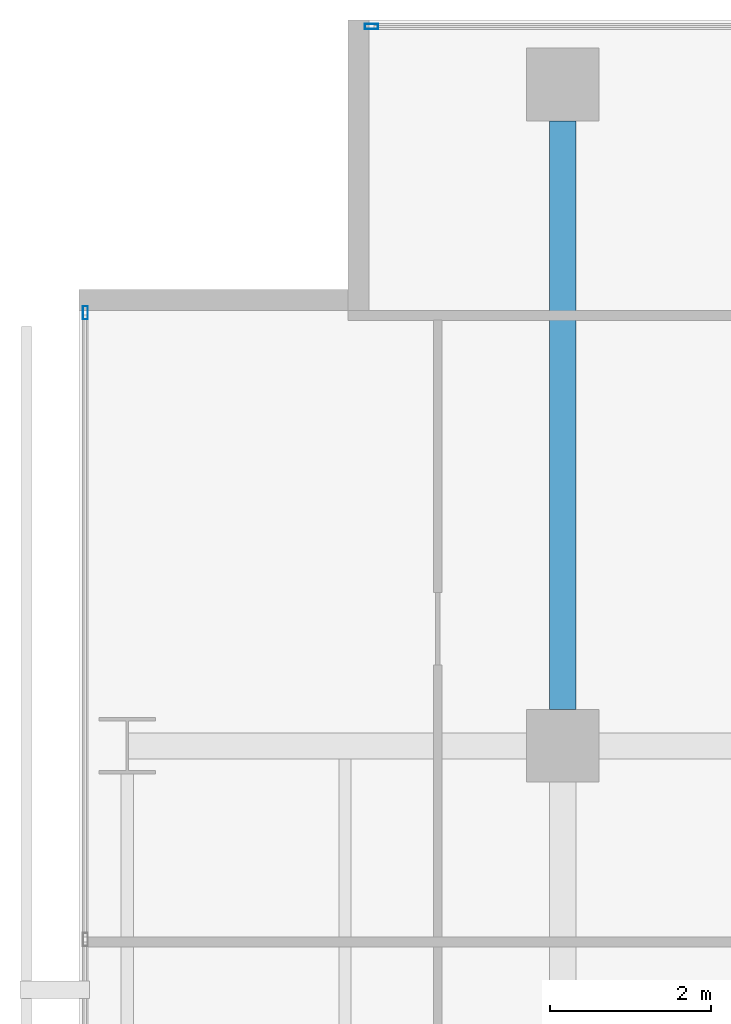
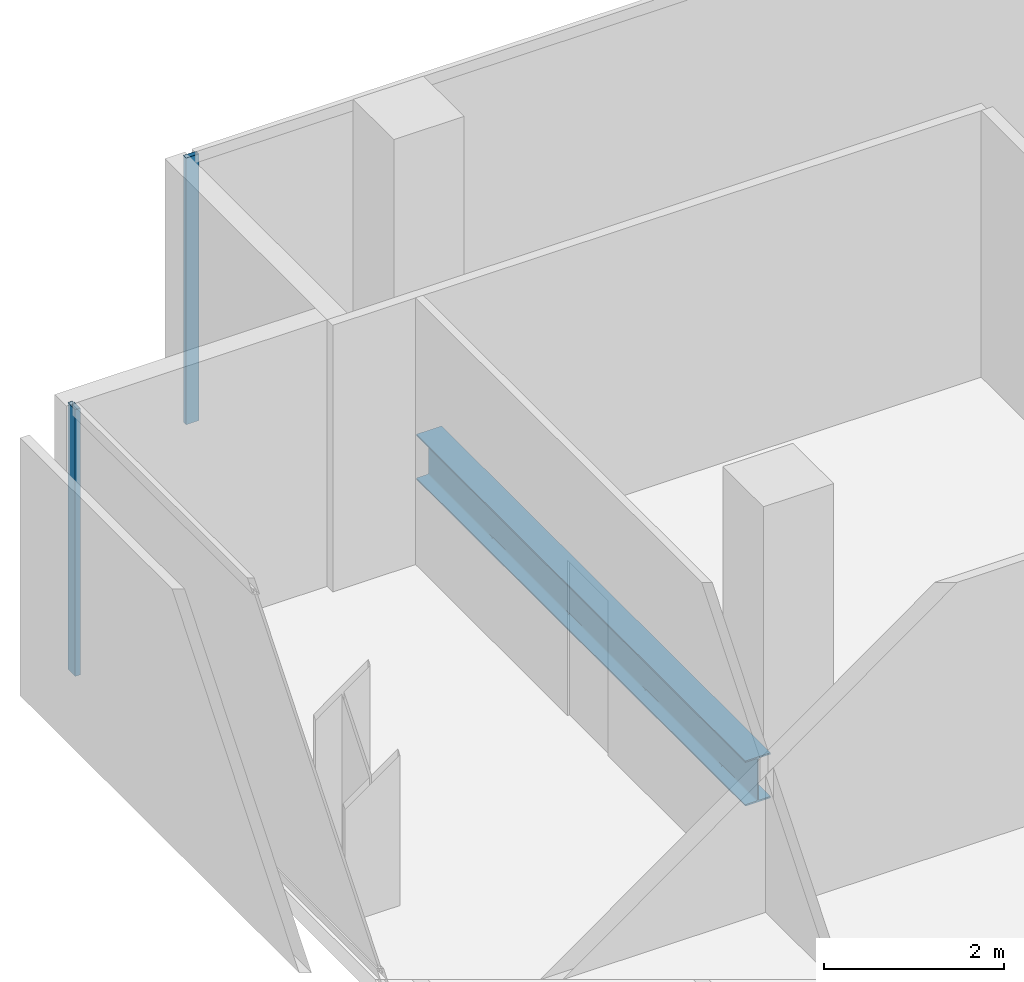
# One storey, part 25 of 40: 2 members, 1 beam, 2 elements without a shape of their own.
"""IFC4 building model written with IfcOpenShell, lengths in metres."""

import ifcopenshell
import ifcopenshell.guid

model = None  # the IFC model being written
_history = None  # IfcOwnerHistory: only IFC2X3 demands one
_inside = {}  # id of a spatial element -> (the spatial element, [elements in it])
_under = {}  # id of a project, library or spatial element -> (it, [spatial elements below it])
_declared = {}  # id of a project -> (the project, [libraries it declares])
_typed = {}  # id of a type object -> (the type object, [elements of that type])
_made_of = {}  # id of a material, layer set ... -> (it, [elements and type objects made of it])


def new_model(schema):
    """Start an empty IFC model of exactly this schema.

    Asked for "IFC4X3", IfcOpenShell would pick the latest addendum, in which some entities
    have other attributes; the version numbers below select the first issue.
    IFC2X3 requires an IfcOwnerHistory on every rooted entity: one is made here for all.
    """
    global model, _history
    if schema == "IFC4X3":
        model = ifcopenshell.file(schema_version=(4, 3, 0, 0))
    else:
        model = ifcopenshell.file(schema=schema)
    _inside.clear()
    _under.clear()
    _declared.clear()
    _typed.clear()
    _made_of.clear()
    _history = None
    if model.schema == "IFC2X3":
        org = make("IfcOrganization", Name="unknown")
        user = make(
            "IfcPersonAndOrganization",
            ThePerson=make("IfcPerson", FamilyName="unknown"),
            TheOrganization=org,
        )
        app = make(
            "IfcApplication",
            ApplicationDeveloper=org,
            Version="unknown",
            ApplicationFullName="unknown",
            ApplicationIdentifier="unknown",
        )
        _history = make(
            "IfcOwnerHistory",
            OwningUser=user,
            OwningApplication=app,
            ChangeAction="ADDED",
            CreationDate=0,
        )
    return model


def make(cls, **values):
    """One entity of the class cls with the attributes given. An attribute that is None is left unset."""
    return model.create_entity(
        cls, **{name: value for name, value in values.items() if value is not None}
    )


def rooted(cls, **values):
    """An entity with a GlobalId (a new one), such as an element, a storey or a relation."""
    return make(cls, GlobalId=ifcopenshell.guid.new(), OwnerHistory=_history, **values)


def si_unit(unit_type, name, prefix=None):
    """IfcSIUnit, for example si_unit("LENGTHUNIT", "METRE", prefix="MILLI")."""
    return make("IfcSIUnit", UnitType=unit_type, Prefix=prefix, Name=name)


def assignment(units):
    """IfcUnitAssignment: the units of a project."""
    return None if units is None else make("IfcUnitAssignment", Units=units)


def point(xyz):
    """IfcCartesianPoint."""
    return None if xyz is None else make("IfcCartesianPoint", Coordinates=xyz)


def direction(xyz):
    """IfcDirection."""
    return None if xyz is None else make("IfcDirection", DirectionRatios=xyz)


def frame(location, z_axis=None, x_axis=None):
    """IfcAxis2Placement3D, a coordinate frame: its origin and axes. An axis left out is left unset."""
    return make(
        "IfcAxis2Placement3D",
        Location=point(location),
        Axis=direction(z_axis),
        RefDirection=direction(x_axis),
    )


def frame_2d(location, x_axis=None):
    """IfcAxis2Placement2D, a coordinate frame in the plane: its origin and x axis."""
    return make(
        "IfcAxis2Placement2D", Location=point(location), RefDirection=direction(x_axis)
    )


def origin():
    """The frame at (0, 0, 0) with its axes left unset."""
    return frame((0.0, 0.0, 0.0))


def origin_2d():
    """The frame at (0, 0) in the plane with its x axis left unset."""
    return frame_2d((0.0, 0.0))


def place(relative_to, where):
    """IfcLocalPlacement: puts the frame where relative to a parent placement (None: the world)."""
    return make(
        "IfcLocalPlacement", PlacementRelTo=relative_to, RelativePlacement=where
    )


def context(
    kind, dimensions, precision=None, world=None, true_north=None, identifier=None
):
    """IfcGeometricRepresentationContext, for example the 3D "Model" context."""
    return make(
        "IfcGeometricRepresentationContext",
        ContextIdentifier=identifier,
        ContextType=kind,
        CoordinateSpaceDimension=dimensions,
        Precision=precision,
        WorldCoordinateSystem=world,
        TrueNorth=true_north,
    )


def subcontext(parent, identifier, kind, view, scale=None):
    """IfcGeometricRepresentationSubContext, for example "Body" below "Model"."""
    return make(
        "IfcGeometricRepresentationSubContext",
        ContextIdentifier=identifier,
        ContextType=kind,
        ParentContext=parent,
        TargetScale=scale,
        TargetView=view,
    )


def project(units=None, contexts=None):
    """IfcProject with its units and contexts."""
    return rooted(
        "IfcProject",
        Name="project",
        RepresentationContexts=contexts,
        UnitsInContext=assignment(units),
    )


def spatial(cls, under=None, at=None, **own):
    """A site, building, storey or space (cls), placed at a placement, below another one or the project."""
    s = rooted(cls, ObjectPlacement=at, **own)
    if under is not None:
        _under.setdefault(under.id(), (under, []))[1].append(s)
    return s


def profile(cls, at=None, kind="AREA", **sizes):
    """A parametric profile (cls). Its sizes go by their IFC names, for example OverallWidth=200.0."""
    return make(cls, ProfileType=kind, Position=at, **sizes)


def hollow_rectangle(**sizes):
    """IfcRectangleHollowProfileDef."""
    return profile("IfcRectangleHollowProfileDef", **sizes)


def i_section(**sizes):
    """IfcIShapeProfileDef."""
    return profile("IfcIShapeProfileDef", **sizes)


def extrude(swept, where, along, depth):
    """IfcExtrudedAreaSolid: the profile swept, set in the frame where, extruded along a direction by depth."""
    return make(
        "IfcExtrudedAreaSolid",
        SweptArea=swept,
        Position=where,
        ExtrudedDirection=direction(along),
        Depth=depth,
    )


def shape(context_of_items, identifier, shape_type, items):
    """IfcShapeRepresentation: the items that make up one representation, for example the "Body"."""
    return make(
        "IfcShapeRepresentation",
        ContextOfItems=context_of_items,
        RepresentationIdentifier=identifier,
        RepresentationType=shape_type,
        Items=items,
    )


def material(Name=None, Category=None):
    """IfcMaterial."""
    return make("IfcMaterial", Name=Name, Category=Category)


def layer(
    of_material, thickness, ventilated=None, Name=None, Category=None, Priority=None
):
    """IfcMaterialLayer: one layer of a wall or slab, of a material (None: an air gap)."""
    return make(
        "IfcMaterialLayer",
        Material=of_material,
        LayerThickness=thickness,
        IsVentilated=ventilated,
        Name=Name,
        Category=Category,
        Priority=Priority,
    )


def layer_set(layers, Name=None):
    """IfcMaterialLayerSet."""
    return make("IfcMaterialLayerSet", MaterialLayers=layers, LayerSetName=Name)


def material_profile(
    of_material, cross_section, Name=None, Category=None, Priority=None
):
    """IfcMaterialProfile: a cross section and its material."""
    return make(
        "IfcMaterialProfile",
        Name=Name,
        Material=of_material,
        Profile=cross_section,
        Priority=Priority,
        Category=Category,
    )


def profile_set(profiles, Name=None, composite=None):
    """IfcMaterialProfileSet."""
    return make(
        "IfcMaterialProfileSet",
        Name=Name,
        MaterialProfiles=profiles,
        CompositeProfile=composite,
    )


def made_of(thing, what):
    """Note that an element or type object is made of a material, layer set ...; save() writes the relation."""
    if what is not None:
        _made_of.setdefault(what.id(), (what, []))[1].append(thing)
    return thing


def type_object(cls, material=None, **own):
    """A type object (cls), such as IfcWallType, which elements share."""
    return made_of(rooted(cls, **own), material)


def element(
    cls,
    number,
    at=None,
    inside=None,
    cuts=None,
    type_object=None,
    material=None,
    context=None,
    identifier="Body",
    shape_type=None,
    held_by="IfcProductDefinitionShape",
    body=None,
    shapes=None,
    **own,
):
    """One element of the class cls, such as IfcWall. Its Tag is "e" and its number.

    at: its placement. inside: the storey or other place that contains it. cuts: it is an
    opening in that element (IfcRelVoidsElement). A single representation is given by context,
    identifier, shape_type and body (its items); several are given by shapes. held_by: the class
    of the entity that holds the representations. save() writes the other relations.
    """
    e = rooted(cls, Tag="e%d" % number, ObjectPlacement=at, **own)
    if body is not None:
        shapes = [shape(context, identifier, shape_type, body)]
    if shapes is not None:
        e.Representation = make(held_by, Representations=shapes)
    if inside is not None:
        _inside.setdefault(inside.id(), (inside, []))[1].append(e)
    if cuts is not None:
        rooted(
            "IfcRelVoidsElement", RelatingBuildingElement=cuts, RelatedOpeningElement=e
        )
    if type_object is not None:
        _typed.setdefault(type_object.id(), (type_object, []))[1].append(e)
    return made_of(e, material)


def aggregate(whole, parts):
    """IfcRelAggregates: a whole, such as a stair, and the parts it consists of."""
    return rooted("IfcRelAggregates", RelatingObject=whole, RelatedObjects=parts)


def save(model, path):
    """Write the relations noted so far, then the file.

    IfcRelAggregates (storeys below a building ...), IfcRelContainedInSpatialStructure (elements
    in a storey), IfcRelDefinesByType, IfcRelAssociatesMaterial and IfcRelDeclares: one each for
    every whole, place, type object, material and project.
    """
    for whole, parts in _under.values():
        aggregate(whole, parts)
    for where, things in _inside.values():
        rooted(
            "IfcRelContainedInSpatialStructure",
            RelatedElements=things,
            RelatingStructure=where,
        )
    for kind, things in _typed.values():
        rooted("IfcRelDefinesByType", RelatedObjects=things, RelatingType=kind)
    for what, things in _made_of.values():
        rooted("IfcRelAssociatesMaterial", RelatedObjects=things, RelatingMaterial=what)
    for by, libraries in _declared.values():
        rooted("IfcRelDeclares", RelatingContext=by, RelatedDefinitions=libraries)
    model.write(path)


model = new_model("IFC4")

# Units and contexts
model_context = context("Model", 3, precision=1e-05, world=origin(), true_north=direction((0.0, 1.0)))
body_context = subcontext(model_context, "Body", "Model", "MODEL_VIEW")
ifc_project = project(units=[si_unit("LENGTHUNIT", "METRE"), si_unit("AREAUNIT", "SQUARE_METRE"), si_unit("VOLUMEUNIT", "CUBIC_METRE"), si_unit("PLANEANGLEUNIT", "RADIAN"), si_unit("MASSUNIT", "GRAM", prefix="KILO")], contexts=[model_context])

# Site, building, storey
site_placement = place(None, origin())
site = spatial("IfcSite", under=ifc_project, at=site_placement, CompositionType="ELEMENT")
building_placement = place(site_placement, origin())
building = spatial("IfcBuilding", under=site, at=building_placement, Name="Maruvema Waterfront Hotel and Observation Tower", CompositionType="ELEMENT")
storey_placement = place(building_placement, frame((0.0, 0.0, 96.25)))
storey = spatial("IfcBuildingStorey", under=building, at=storey_placement, Name="L23", CompositionType="ELEMENT", Elevation=96.25)

# Curtain wall, member
ifc_material_1 = material(Name="Anodised bronze aluminium and solar-control low-E IGU", Category="aluminium")
ifc_layer = layer(ifc_material_1, 0.159912109375, Name="Zone 1 Bronze Inner Thermal Curtain Wall System CW-02")
ifc_layer_set = layer_set([ifc_layer], Name="Anodised bronze aluminium and solar-control low-E IGU")
curtain_wall_type = type_object("IfcCurtainWallType", Name="Zone 1 Bronze Inner Thermal Curtain Wall System CW-02", PredefinedType="USERDEFINED", material=ifc_layer_set)
curtain_wall_1_placement = place(storey_placement, origin())
curtain_wall_1 = element("IfcCurtainWall", 1, at=curtain_wall_1_placement, inside=storey, type_object=curtain_wall_type, Name="L23 Curtain Wall CW-L23-W", ObjectType="UNITISED CURTAIN WALL", PredefinedType="USERDEFINED")
ifc_material_2 = material(Name="Anodised architectural bronze aluminium", Category="aluminium")
ifc_material_profile_1 = material_profile(ifc_material_2, hollow_rectangle(XDim=0.06494140625, YDim=0.1650390625, WallThickness=0.00390625, at=origin_2d()), Name="ALU-M65x165")
ifc_profile_set_1 = profile_set([ifc_material_profile_1], Name="Anodised architectural bronze aluminium")
member_type = type_object("IfcMemberType", Name="Curtain Wall Primary Mullion ALU-M65x165", PredefinedType="MULLION", material=ifc_profile_set_1)
member_1_placement = place(storey_placement, frame((10.8798828125, 50.3701171875, 0.0), z_axis=(0.0, 0.0, 1.0), x_axis=(1.0, 0.0, 0.0)))
member_1 = element("IfcMember", 2, at=member_1_placement, type_object=member_type, Name="CW-02 mullion 1", PredefinedType="MULLION", context=body_context, shape_type="SweptSolid", body=[
    extrude(hollow_rectangle(XDim=0.06494140625, YDim=0.1650390625, WallThickness=0.00390625, at=origin_2d()), origin(), (0.0, 0.0, 1.0), 3.610107421875),
])
aggregate(curtain_wall_1, [member_1])

curtain_wall_2_placement = place(storey_placement, origin())
curtain_wall_2 = element("IfcCurtainWall", 3, at=curtain_wall_2_placement, inside=storey, type_object=curtain_wall_type, Name="L23 Curtain Wall CW-L23-NW", ObjectType="UNITISED CURTAIN WALL", PredefinedType="USERDEFINED")
member_2_placement = place(storey_placement, frame((14.429931640625, 53.919921875, 0.0), z_axis=(0.0, 0.0, 1.0), x_axis=(0.0, -1.0, 0.0)))
member_2 = element("IfcMember", 4, at=member_2_placement, type_object=member_type, Name="CW-02 mullion 2", PredefinedType="MULLION", context=body_context, shape_type="SweptSolid", body=[
    extrude(hollow_rectangle(XDim=0.06494140625, YDim=0.1650390625, WallThickness=0.00390625, at=origin_2d()), origin(), (0.0, 0.0, 1.0), 3.610107421875),
])
aggregate(curtain_wall_2, [member_2])

# Beam
ifc_material_3 = material(Name="Steel ASTM A572 Grade 50", Category="steel")
ifc_material_profile_2 = material_profile(ifc_material_3, i_section(OverallWidth=0.323974609375, OverallDepth=0.611083984375, WebThickness=0.0126953125, FlangeThickness=0.01904296875, FilletRadius=0.01806640625, at=origin_2d()), Name="W610x155.0")
ifc_profile_set_2 = profile_set([ifc_material_profile_2], Name="Steel ASTM A572 Grade 50")
beam_type = type_object("IfcBeamType", Name="Primary Floor Girder W610x155.0", PredefinedType="BEAM", material=ifc_profile_set_2)
beam_placement = place(storey_placement, frame((16.800048828125, 45.449951171875, -0.54541015625), z_axis=(0.0, 1.0, 0.0), x_axis=(-1.0, 0.0, 0.0)))
element("IfcBeam", 5, at=beam_placement, inside=storey, type_object=beam_type, Name="L23 Floor Girder NS-10", PredefinedType="BEAM", context=body_context, shape_type="SweptSolid", body=[
    extrude(i_section(OverallWidth=0.323974609375, OverallDepth=0.611083984375, WebThickness=0.0126953125, FlangeThickness=0.01904296875, FilletRadius=0.01806640625, at=origin_2d()), origin(), (0.0, 0.0, 1.0), 7.300048828125),
])

save(model, "model.ifc")
